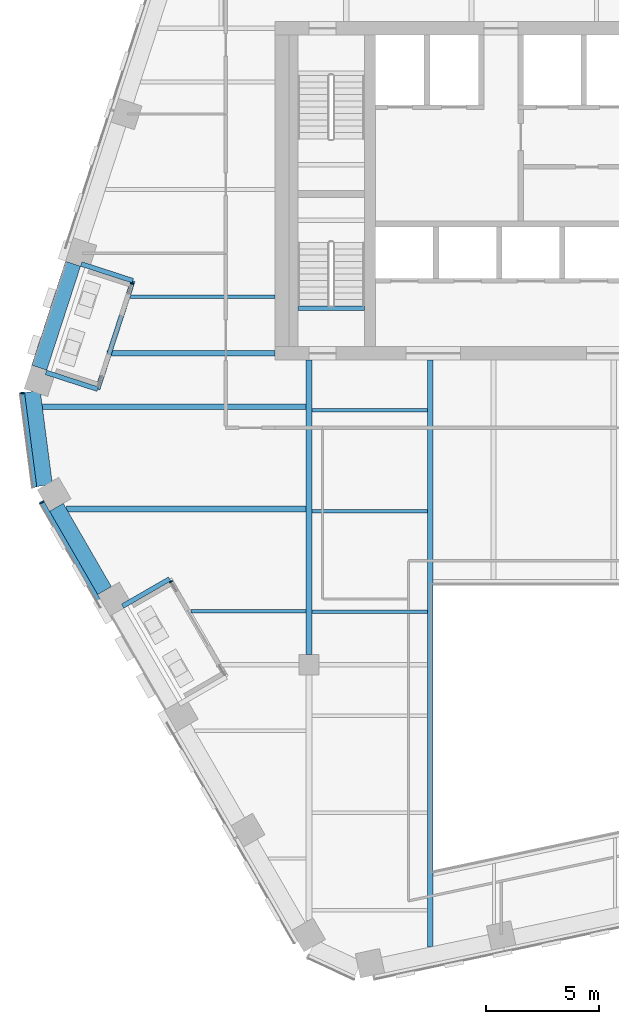
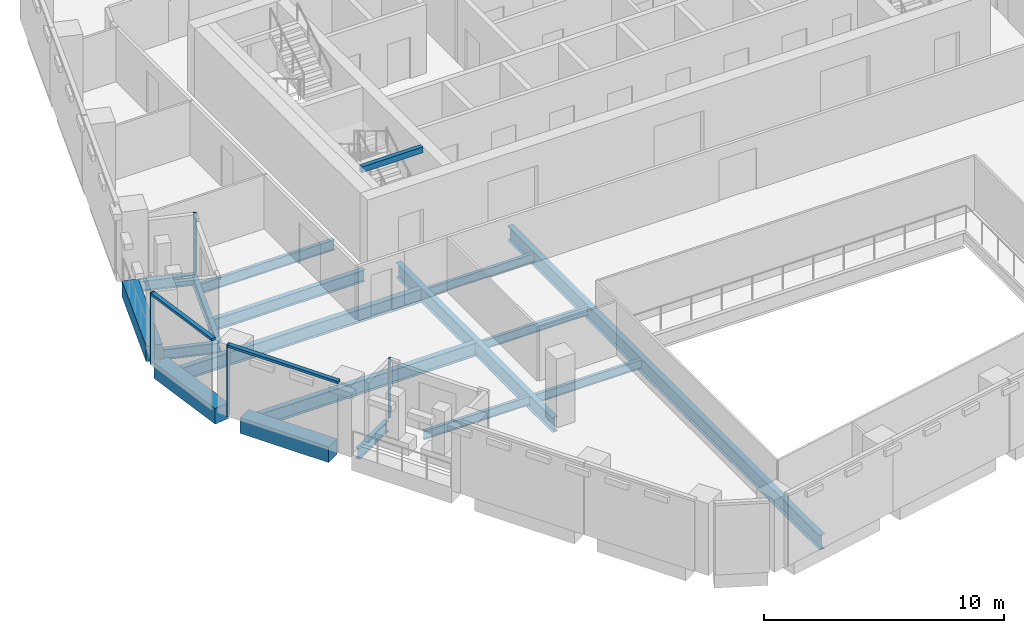
# One storey, part 3 of 24: 18 beams, 6 members, 4 elements without a shape of their own.
"""IFC4 building model written with IfcOpenShell, lengths in metres."""

from ifc_helpers import new_model, si_unit, direction, frame, origin, origin_2d, place, context, subcontext, project, spatial, rectangle, i_section, extrude, material, layer, layer_set, material_profile, profile_set, type_object, element, aggregate, save


model = new_model("IFC4")

# Units and contexts
model_context = context("Model", 3, precision=1e-05, world=origin(), true_north=direction((0.0, 1.0)))
body_context = subcontext(model_context, "Body", "Model", "MODEL_VIEW")
ifc_project = project(units=[si_unit("LENGTHUNIT", "METRE"), si_unit("AREAUNIT", "SQUARE_METRE"), si_unit("VOLUMEUNIT", "CUBIC_METRE"), si_unit("PLANEANGLEUNIT", "RADIAN"), si_unit("MASSUNIT", "GRAM", prefix="KILO")], contexts=[model_context])

# Site, building, storey
site_placement = place(None, origin())
site = spatial("IfcSite", under=ifc_project, at=site_placement, CompositionType="ELEMENT")
building_placement = place(site_placement, origin())
building = spatial("IfcBuilding", under=site, at=building_placement, Name="Isthmus Gate Tower", CompositionType="ELEMENT")
storey_placement = place(building_placement, frame((0.0, 0.0, 234.550048828125)))
storey = spatial("IfcBuildingStorey", under=building, at=storey_placement, Name="L59", CompositionType="ELEMENT", Elevation=234.550048828125)

# Curtain wall, member
ifc_material_1 = material(Name="Aluminium, pale champagne anodised", Category="aluminium")
ifc_layer_1 = layer(ifc_material_1, 0.199951171875)
ifc_layer_set_1 = layer_set([ifc_layer_1], Name="CW-1 UNITISED CURTAIN WALL 200 DEEP")
curtain_wall_type_1 = type_object("IfcCurtainWallType", Name="CW-1 UNITISED CURTAIN WALL 200 DEEP", PredefinedType="NOTDEFINED", material=ifc_layer_set_1)
curtain_wall_1_placement = place(storey_placement, origin())
curtain_wall_1 = element("IfcCurtainWall", 1, at=curtain_wall_1_placement, inside=storey, type_object=curtain_wall_type_1, Name="CW-1 NW-SW L59", PredefinedType="NOTDEFINED")
ifc_material_2 = material(Name="Aluminium, pale champagne anodised", Category="aluminium")
ifc_material_profile_1 = material_profile(ifc_material_2, rectangle(XDim=0.06005859375, YDim=0.199951171875, at=origin_2d()), Name="60x200")
ifc_profile_set_1 = profile_set([ifc_material_profile_1], Name="Aluminium, pale champagne anodised")
member_type_1 = type_object("IfcMemberType", Name="CW-1 MULLION 60 X 200", PredefinedType="MULLION", material=ifc_profile_set_1)
member_1_placement = place(storey_placement, frame((-26.205322265625, -1.4658203125, 0.0), z_axis=(0.0, 0.0, 1.0), x_axis=(0.129164534, -0.991623175988, 0.0)))
member_1 = element("IfcMember", 2, at=member_1_placement, type_object=member_type_1, Name="CW-1 mullion", PredefinedType="MULLION", context=body_context, shape_type="SweptSolid", body=[
    extrude(rectangle(XDim=0.06005859375, YDim=0.199951171875, at=origin_2d()), origin(), (0.0, 0.0, 1.0), 3.64990234375),
])

curtain_wall_2_placement = place(storey_placement, origin())
curtain_wall_2 = element("IfcCurtainWall", 3, at=curtain_wall_2_placement, inside=storey, type_object=curtain_wall_type_1, Name="CW-1 SW L59", PredefinedType="NOTDEFINED")
member_2_placement = place(storey_placement, frame((-25.3427734375, -6.304931640625, 0.0), z_axis=(0.0, 0.0, 1.0), x_axis=(0.5, -0.866025403784, 0.0)))
member_2 = element("IfcMember", 4, at=member_2_placement, type_object=member_type_1, Name="CW-1 mullion", PredefinedType="MULLION", context=body_context, shape_type="SweptSolid", body=[
    extrude(rectangle(XDim=0.06005859375, YDim=0.199951171875, at=origin_2d()), origin(), (0.0, 0.0, 1.0), 3.64990234375),
])

# Member
ifc_material_3 = material(Name="Aluminium, pale champagne anodised", Category="aluminium")
ifc_material_profile_2 = material_profile(ifc_material_3, rectangle(XDim=0.199951171875, YDim=0.1298828125, at=origin_2d()), Name="200x130")
ifc_profile_set_2 = profile_set([ifc_material_profile_2], Name="Aluminium, pale champagne anodised")
member_type_2 = type_object("IfcMemberType", Name="CW-1 TRANSOM 200 X 130", PredefinedType="USERDEFINED", material=ifc_profile_set_2)
member_3_placement = place(storey_placement, frame((-26.20166015625, -1.495361328125, 3.5849609375), z_axis=(0.129206893318, -0.991617657527, 0.0), x_axis=(0.991617657527, 0.129206893318, 0.0)))
member_3 = element("IfcMember", 5, at=member_3_placement, type_object=member_type_2, Name="CW-1 transom", ObjectType="TRANSOM", PredefinedType="USERDEFINED", context=body_context, shape_type="SweptSolid", body=[
    extrude(rectangle(XDim=0.199951171875, YDim=0.1298828125, at=origin_2d()), origin(), (0.0, 0.0, 1.0), 4.181640625),
])

aggregate(curtain_wall_1, [member_1, member_3])

member_4_placement = place(storey_placement, frame((-25.327880859375, -6.3310546875, 3.5849609375), z_axis=(0.500022807565, -0.86601223543, 0.0), x_axis=(0.86601223543, 0.500022807565, 0.0)))
member_4 = element("IfcMember", 6, at=member_4_placement, type_object=member_type_2, Name="CW-1 transom", ObjectType="TRANSOM", PredefinedType="USERDEFINED", context=body_context, shape_type="SweptSolid", body=[
    extrude(rectangle(XDim=0.199951171875, YDim=0.1298828125, at=origin_2d()), origin(), (0.0, 0.0, 1.0), 5.300537109375),
])

aggregate(curtain_wall_2, [member_2, member_4])

# Curtain wall, member
ifc_material_4 = material(Name="Aluminium, pale champagne anodised", Category="aluminium")
ifc_layer_2 = layer(ifc_material_4, 0.14990234375)
ifc_layer_set_2 = layer_set([ifc_layer_2], Name="CW-6 LOGGIA BACK WALL GLAZING 150 DEEP")
curtain_wall_type_2 = type_object("IfcCurtainWallType", Name="CW-6 LOGGIA BACK WALL GLAZING 150 DEEP", PredefinedType="NOTDEFINED", material=ifc_layer_set_2)
curtain_wall_3_placement = place(storey_placement, origin())
curtain_wall_3 = element("IfcCurtainWall", 7, at=curtain_wall_3_placement, inside=storey, type_object=curtain_wall_type_2, Name="CW-6 NW L59", PredefinedType="NOTDEFINED")
ifc_material_5 = material(Name="Aluminium, pale champagne anodised", Category="aluminium")
ifc_material_profile_3 = material_profile(ifc_material_5, rectangle(XDim=0.06005859375, YDim=0.14990234375, at=origin_2d()), Name="60x150")
ifc_profile_set_3 = profile_set([ifc_material_profile_3], Name="Aluminium, pale champagne anodised")
member_type_3 = type_object("IfcMemberType", Name="CW-6 MULLION 60 X 150", PredefinedType="MULLION", material=ifc_profile_set_3)
member_5_placement = place(storey_placement, frame((-21.353515625, 3.383056640625, 0.0), z_axis=(0.0, 0.0, 1.0), x_axis=(-0.309016994375, -0.951056516295, 0.0)))
member_5 = element("IfcMember", 8, at=member_5_placement, type_object=member_type_3, Name="CW-6 mullion", PredefinedType="MULLION", context=body_context, shape_type="SweptSolid", body=[
    extrude(rectangle(XDim=0.06005859375, YDim=0.14990234375, at=origin_2d()), origin(), (0.0, 0.0, 1.0), 3.050048828125),
])
aggregate(curtain_wall_3, [member_5])

curtain_wall_4_placement = place(storey_placement, origin())
curtain_wall_4 = element("IfcCurtainWall", 9, at=curtain_wall_4_placement, inside=storey, type_object=curtain_wall_type_2, Name="CW-6 SW L59", PredefinedType="NOTDEFINED")
member_6_placement = place(storey_placement, frame((-19.6162109375, -9.82373046875, 0.0), z_axis=(0.0, 0.0, 1.0), x_axis=(0.5, -0.866025403784, 0.0)))
member_6 = element("IfcMember", 10, at=member_6_placement, type_object=member_type_3, Name="CW-6 mullion", PredefinedType="MULLION", context=body_context, shape_type="SweptSolid", body=[
    extrude(rectangle(XDim=0.06005859375, YDim=0.14990234375, at=origin_2d()), origin(), (0.0, 0.0, 1.0), 3.050048828125),
])
aggregate(curtain_wall_4, [member_6])

# Beams
ifc_material_6 = material(Name="Concrete f'c 50 MPa", Category="concrete")
ifc_material_profile_4 = material_profile(ifc_material_6, rectangle(XDim=0.699951171875, YDim=0.800048828125, at=origin_2d()), Name="RC 700X800")
ifc_profile_set_4 = profile_set([ifc_material_profile_4], Name="Concrete f'c 50 MPa")
beam_type_1 = type_object("IfcBeamType", Name="RC SPANDREL 700 X 800", PredefinedType="SPANDREL", material=ifc_profile_set_4)
beam_1_placement = place(storey_placement, frame((-22.562744140625, -10.22021484375, -0.400146484375), z_axis=(-0.499996907167, 0.866027189425, 0.0), x_axis=(-0.866027189425, -0.499996907167, 0.0)))
element("IfcBeam", 11, at=beam_1_placement, inside=storey, type_object=beam_type_1, Name="str-spandrel-L59-19", PredefinedType="SPANDREL", context=body_context, shape_type="SweptSolid", body=[
    extrude(rectangle(XDim=0.699951171875, YDim=0.800048828125, at=origin_2d()), origin(), (0.0, 0.0, 1.0), 4.2607421875),
])
beam_2_placement = place(storey_placement, frame((-25.218017578125, -5.563232421875, -0.400146484375), z_axis=(-0.129137748309, 0.991626664608, 0.0), x_axis=(-0.991626664608, -0.129137748309, 0.0)))
element("IfcBeam", 12, at=beam_2_placement, inside=storey, type_object=beam_type_1, Name="str-spandrel-L59-20", PredefinedType="SPANDREL", context=body_context, shape_type="SweptSolid", body=[
    extrude(rectangle(XDim=0.699951171875, YDim=0.800048828125, at=origin_2d()), origin(), (0.0, 0.0, 1.0), 4.197021484375),
])
beam_3_placement = place(storey_placement, frame((-25.455810546875, -0.34375, -0.400146484375), z_axis=(0.309033626624, 0.951051111989, 0.0), x_axis=(-0.951051111989, 0.309033626624, 0.0)))
element("IfcBeam", 13, at=beam_3_placement, inside=storey, type_object=beam_type_1, Name="str-spandrel-L59-21", PredefinedType="SPANDREL", context=body_context, shape_type="SweptSolid", body=[
    extrude(rectangle(XDim=0.699951171875, YDim=0.800048828125, at=origin_2d()), origin(), (0.0, 0.0, 1.0), 4.842041015625),
])
ifc_material_7 = material(Name="Concrete f'c 40 MPa", Category="concrete")
ifc_material_profile_5 = material_profile(ifc_material_7, rectangle(XDim=0.199951171875, YDim=0.300048828125, at=origin_2d()), Name="STAIR LANDING BEAM RC 200 X 300")
ifc_profile_set_5 = profile_set([ifc_material_profile_5], Name="Concrete f'c 40 MPa")
beam_type_2 = type_object("IfcBeamType", Name="STAIR LANDING BEAM RC 200 X 300", PredefinedType="BEAM", material=ifc_profile_set_5)
beam_4_placement = place(storey_placement, frame((-14.0, 2.2998046875, 3.349853515625), z_axis=(1.0, 0.0, 0.0), x_axis=(0.0, 1.0, 0.0)))
element("IfcBeam", 14, at=beam_4_placement, inside=storey, type_object=beam_type_2, Name="L59 ST7 floor-edge seat beam", PredefinedType="BEAM", context=body_context, shape_type="SweptSolid", body=[
    extrude(rectangle(XDim=0.199951171875, YDim=0.300048828125, at=origin_2d()), origin(), (0.0, 0.0, 1.0), 2.949951171875),
])
ifc_material_8 = material(Name="Structural steel ASTM A992 Gr 50", Category="steel")
ifc_material_profile_6 = material_profile(ifc_material_8, i_section(OverallWidth=0.15234375, OverallDepth=0.45068359375, WebThickness=0.0078125, FlangeThickness=0.010986328125, at=origin_2d()), Name="W18X35")
ifc_profile_set_6 = profile_set([ifc_material_profile_6], Name="Structural steel ASTM A992 Gr 50")
beam_type_3 = type_object("IfcBeamType", Name="STEEL FLOOR BEAM W18X35", PredefinedType="JOIST", material=ifc_profile_set_6)
beam_5_placement = place(storey_placement, frame((-18.734619140625, -11.1318359375, -0.37548828125), z_axis=(1.0, 0.0, 0.0), x_axis=(0.0, 1.0, 0.0)))
element("IfcBeam", 15, at=beam_5_placement, inside=storey, type_object=beam_type_3, Name="str-beam-L59-02-00", PredefinedType="JOIST", context=body_context, shape_type="SweptSolid", body=[
    extrude(i_section(OverallWidth=0.15234375, OverallDepth=0.45068359375, WebThickness=0.0078125, FlangeThickness=0.010986328125, at=origin_2d()), origin(), (0.0, 0.0, 1.0), 5.102783203125),
])
for number, where, z_axis, x_axis, name in (
    (16, (-13.3681640625, -11.16259765625, -0.37548828125), (1.0, 0.0, 0.0), (0.0, 1.0, 0.0), "str-beam-L59-05-00"),
    (17, (-13.3681640625, -6.697509765625, -0.37548828125), (1.0, 0.0, 0.0), (0.0, 1.0, 0.0), "str-beam-L59-05-01"),
    (18, (-13.3681640625, -2.232421875, -0.37548828125), (1.0, 0.0, 0.0), (0.0, 1.0, 0.0), "str-beam-L59-05-02"),
):
    element("IfcBeam", number, at=place(storey_placement, frame(where, z_axis=z_axis, x_axis=x_axis)), inside=storey, type_object=beam_type_3, Name=name, PredefinedType="JOIST", context=body_context, shape_type="SweptSolid", body=[
        extrude(i_section(OverallWidth=0.15234375, OverallDepth=0.45068359375, WebThickness=0.0078125, FlangeThickness=0.010986328125, at=origin_2d()), origin(), (0.0, 0.0, 1.0), 5.104736328125),
    ])
ifc_material_9 = material(Name="Structural steel ASTM A992 Gr 50", Category="steel")
ifc_material_profile_7 = material_profile(ifc_material_9, i_section(OverallWidth=0.1650390625, OverallDepth=0.52392578125, WebThickness=0.009521484375, FlangeThickness=0.010986328125, at=origin_2d()), Name="W21X44")
ifc_profile_set_7 = profile_set([ifc_material_profile_7], Name="Structural steel ASTM A992 Gr 50")
beam_type_4 = type_object("IfcBeamType", Name="STEEL FLOOR BEAM W21X44", PredefinedType="JOIST", material=ifc_profile_set_7)
beam_6_placement = place(storey_placement, frame((-21.42919921875, 2.795166015625, -0.412109375), z_axis=(1.0, 0.0, 0.0), x_axis=(0.0, 1.0, 0.0)))
element("IfcBeam", 19, at=beam_6_placement, inside=storey, type_object=beam_type_4, Name="str-beam-L59-03-00", PredefinedType="JOIST", context=body_context, shape_type="SweptSolid", body=[
    extrude(i_section(OverallWidth=0.1650390625, OverallDepth=0.52392578125, WebThickness=0.009521484375, FlangeThickness=0.010986328125, at=origin_2d()), origin(), (0.0, 0.0, 1.0), 6.42919921875),
])
ifc_material_10 = material(Name="Structural steel ASTM A992 Gr 50", Category="steel")
ifc_material_profile_8 = material_profile(ifc_material_10, i_section(OverallWidth=0.25390625, OverallDepth=0.679443359375, WebThickness=0.010986328125, FlangeThickness=0.015869140625, at=origin_2d()), Name="W27X84")
ifc_profile_set_8 = profile_set([ifc_material_profile_8], Name="Structural steel ASTM A992 Gr 50")
beam_type_5 = type_object("IfcBeamType", Name="STEEL FLOOR BEAM W27X84", PredefinedType="JOIST", material=ifc_profile_set_8)
beam_7_placement = place(storey_placement, frame((-24.245849609375, -6.604736328125, -0.48974609375), z_axis=(1.0, 0.0, 0.0), x_axis=(0.0, 1.0, 0.0)))
element("IfcBeam", 20, at=beam_7_placement, inside=storey, type_object=beam_type_5, Name="str-beam-L59-02-01", PredefinedType="JOIST", context=body_context, shape_type="SweptSolid", body=[
    extrude(i_section(OverallWidth=0.25390625, OverallDepth=0.679443359375, WebThickness=0.010986328125, FlangeThickness=0.015869140625, at=origin_2d()), origin(), (0.0, 0.0, 1.0), 10.614013671875),
])
beam_8_placement = place(storey_placement, frame((-25.31884765625, -2.077880859375, -0.48974609375), z_axis=(1.0, 0.0, 0.0), x_axis=(0.0, 1.0, 0.0)))
element("IfcBeam", 21, at=beam_8_placement, inside=storey, type_object=beam_type_5, Name="str-beam-L59-02-02", PredefinedType="JOIST", context=body_context, shape_type="SweptSolid", body=[
    extrude(i_section(OverallWidth=0.25390625, OverallDepth=0.679443359375, WebThickness=0.010986328125, FlangeThickness=0.015869140625, at=origin_2d()), origin(), (0.0, 0.0, 1.0), 11.68701171875),
])
ifc_material_11 = material(Name="Structural steel ASTM A992 Gr 50", Category="steel")
ifc_material_profile_9 = material_profile(ifc_material_11, i_section(OverallWidth=0.228515625, OverallDepth=0.603271484375, WebThickness=0.010986328125, FlangeThickness=0.014404296875, at=origin_2d()), Name="W24X68")
ifc_profile_set_9 = profile_set([ifc_material_profile_9], Name="Structural steel ASTM A992 Gr 50")
beam_type_6 = type_object("IfcBeamType", Name="STEEL GIRDER W24X68", PredefinedType="BEAM", material=ifc_profile_set_9)
beam_9_placement = place(storey_placement, frame((-15.0, 0.300048828125, -0.45166015625), z_axis=(-1.0, 0.0, 0.0), x_axis=(0.0, -1.0, 0.0)))
element("IfcBeam", 22, at=beam_9_placement, inside=storey, type_object=beam_type_6, Name="str-girder-L59-09", PredefinedType="BEAM", context=body_context, shape_type="SweptSolid", body=[
    extrude(i_section(OverallWidth=0.228515625, OverallDepth=0.603271484375, WebThickness=0.010986328125, FlangeThickness=0.014404296875, at=origin_2d()), origin(), (0.0, 0.0, 1.0), 7.460205078125),
])
ifc_material_12 = material(Name="Structural steel ASTM A992 Gr 50", Category="steel")
ifc_material_profile_10 = material_profile(ifc_material_12, i_section(OverallWidth=0.263427734375, OverallDepth=0.749267578125, WebThickness=0.0126953125, FlangeThickness=0.015869140625, at=origin_2d()), Name="W30X90")
ifc_profile_set_10 = profile_set([ifc_material_profile_10], Name="Structural steel ASTM A992 Gr 50")
beam_type_7 = type_object("IfcBeamType", Name="STEEL GIRDER W30X90", PredefinedType="BEAM", material=ifc_profile_set_10)
beam_10_placement = place(storey_placement, frame((-13.5, -13.050048828125, -0.524658203125), z_axis=(0.0, 1.0, 0.0), x_axis=(-1.0, 0.0, 0.0)))
element("IfcBeam", 23, at=beam_10_placement, inside=storey, type_object=beam_type_7, Name="str-girder-L59-06", PredefinedType="BEAM", context=body_context, shape_type="SweptSolid", body=[
    extrude(i_section(OverallWidth=0.263427734375, OverallDepth=0.749267578125, WebThickness=0.0126953125, FlangeThickness=0.015869140625, at=origin_2d()), origin(), (0.0, 0.0, 1.0), 13.050048828125),
])
ifc_material_13 = material(Name="Structural steel ASTM A992 Gr 50", Category="steel")
ifc_material_profile_11 = material_profile(ifc_material_13, i_section(OverallWidth=0.20947265625, OverallDepth=0.533447265625, WebThickness=0.009521484375, FlangeThickness=0.015869140625, at=origin_2d()), Name="W21X62")
ifc_profile_set_11 = profile_set([ifc_material_profile_11], Name="Structural steel ASTM A992 Gr 50")
beam_type_8 = type_object("IfcBeamType", Name="STEEL TRIMMER W21X62", PredefinedType="BEAM", material=ifc_profile_set_11)
beam_11_placement = place(storey_placement, frame((-21.307373046875, 3.509521484375, -0.416748046875), z_axis=(-0.308997545679, -0.95106283534, 0.0), x_axis=(0.95106283534, -0.308997545679, 0.0)))
element("IfcBeam", 24, at=beam_11_placement, inside=storey, type_object=beam_type_8, Name="str-loggiatrim-L59-02-B", PredefinedType="BEAM", context=body_context, shape_type="SweptSolid", body=[
    extrude(i_section(OverallWidth=0.20947265625, OverallDepth=0.533447265625, WebThickness=0.009521484375, FlangeThickness=0.015869140625, at=origin_2d()), origin(), (0.0, 0.0, 1.0), 5.051025390625),
])
beam_12_placement = place(storey_placement, frame((-23.59423828125, 4.252685546875, -0.416748046875), z_axis=(0.951042275832, -0.309060818579, 0.0), x_axis=(0.309060818579, 0.951042275832, 0.0)))
element("IfcBeam", 25, at=beam_12_placement, inside=storey, type_object=beam_type_8, Name="str-loggiatrim-L59-02-A", PredefinedType="BEAM", context=body_context, shape_type="SweptSolid", body=[
    extrude(i_section(OverallWidth=0.20947265625, OverallDepth=0.533447265625, WebThickness=0.009521484375, FlangeThickness=0.015869140625, at=origin_2d()), origin(), (0.0, 0.0, 1.0), 2.404541015625),
])
for number, where, z_axis, x_axis, name in (
    (26, (-25.1552734375, -0.551513671875, -0.416748046875), (0.951081806625, -0.308939147903, 0.0), (0.308939147903, 0.951081806625, 0.0), "str-loggiatrim-L59-02-C"),
    (27, (-21.761962890625, -10.906982421875, -0.416748046875), (0.866016514357, 0.500015396624, 0.0), (-0.500015396624, 0.866016514357, 0.0), "str-loggiatrim-L59-03-A"),
):
    element("IfcBeam", number, at=place(storey_placement, frame(where, z_axis=z_axis, x_axis=x_axis)), inside=storey, type_object=beam_type_8, Name=name, PredefinedType="BEAM", context=body_context, shape_type="SweptSolid", body=[
        extrude(i_section(OverallWidth=0.20947265625, OverallDepth=0.533447265625, WebThickness=0.009521484375, FlangeThickness=0.015869140625, at=origin_2d()), origin(), (0.0, 0.0, 1.0), 2.40478515625),
    ])
ifc_material_14 = material(Name="Structural steel ASTM A992 Gr 50", Category="steel")
ifc_material_profile_12 = material_profile(ifc_material_14, i_section(OverallWidth=0.263427734375, OverallDepth=0.749267578125, WebThickness=0.0126953125, FlangeThickness=0.015869140625, at=origin_2d()), Name="W30X90")
ifc_profile_set_12 = profile_set([ifc_material_profile_12], Name="Structural steel ASTM A992 Gr 50")
beam_type_9 = type_object("IfcBeamType", Name="STEEL TRIMMER W30X90", PredefinedType="BEAM", material=ifc_profile_set_12)
beam_13_placement = place(storey_placement, frame((-8.1318359375, 0.0, -0.524658203125), z_axis=(0.0, -1.0, 0.0), x_axis=(1.0, 0.0, 0.0)))
element("IfcBeam", 28, at=beam_13_placement, inside=storey, type_object=beam_type_9, Name="str-trimmer-L59-02", PredefinedType="BEAM", context=body_context, shape_type="SweptSolid", body=[
    extrude(i_section(OverallWidth=0.263427734375, OverallDepth=0.749267578125, WebThickness=0.0126953125, FlangeThickness=0.015869140625, at=origin_2d()), origin(), (0.0, 0.0, 1.0), 26.012939453125),
])

save(model, "model.ifc")
